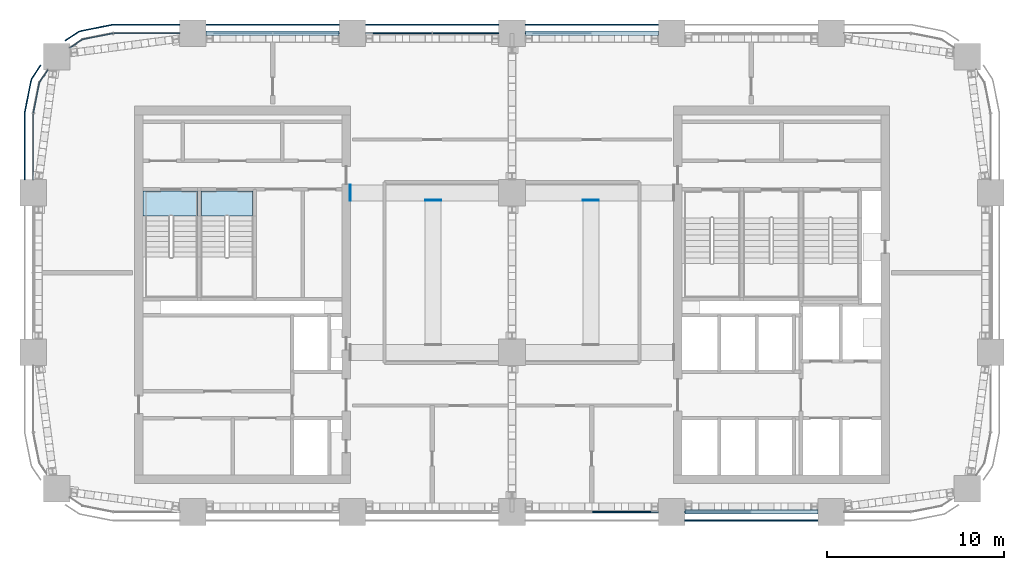
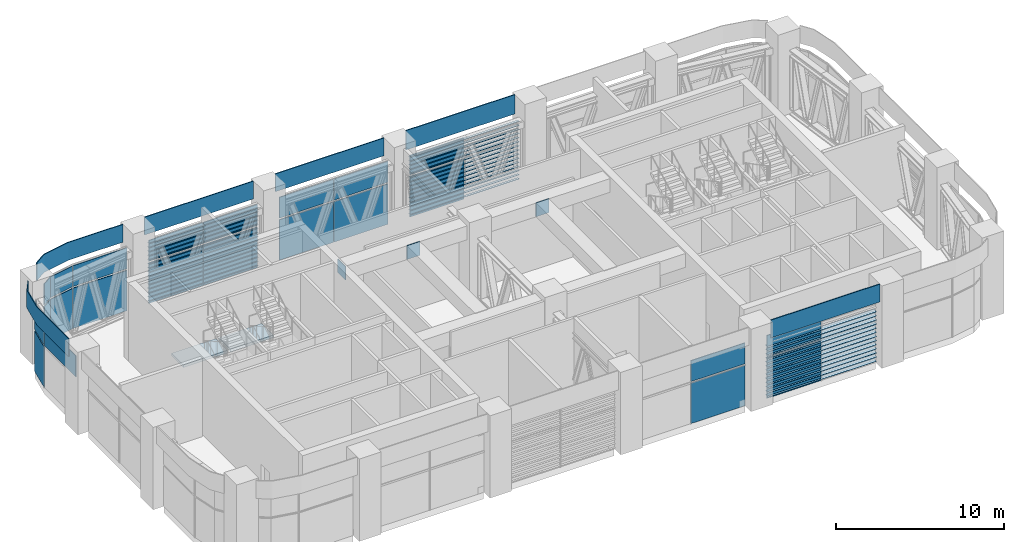
# One storey, part 9 of 19: 73 plates, 2 slabs, 9 elements without a shape of their own.
"""IFC4 building model written with IfcOpenShell, lengths in metres."""

from ifc_helpers import new_model, si_unit, direction, frame, origin, origin_2d, place, context, subcontext, project, spatial, polyline, rectangle, outline, extrude, material, layer, layer_set, type_object, element, aggregate, save


model = new_model("IFC4")

# Units and contexts
model_context = context("Model", 3, precision=1e-05, world=origin(), true_north=direction((0.0, 1.0)))
body_context = subcontext(model_context, "Body", "Model", "MODEL_VIEW")
ifc_project = project(units=[si_unit("LENGTHUNIT", "METRE"), si_unit("AREAUNIT", "SQUARE_METRE"), si_unit("VOLUMEUNIT", "CUBIC_METRE"), si_unit("PLANEANGLEUNIT", "RADIAN"), si_unit("MASSUNIT", "GRAM", prefix="KILO")], contexts=[model_context])

# Site, building, storey
site_placement = place(None, origin())
site = spatial("IfcSite", under=ifc_project, at=site_placement, CompositionType="ELEMENT")
building_placement = place(site_placement, origin())
building = spatial("IfcBuilding", under=site, at=building_placement, Name="Tessera Arch", CompositionType="ELEMENT")
storey_placement = place(building_placement, frame((0.0, 0.0, 197.300048828125)))
storey = spatial("IfcBuildingStorey", under=building, at=storey_placement, Name="L47", CompositionType="ELEMENT", Elevation=197.300048828125)

# Curtain wall, plates
ifc_material_1 = material(Name="CW7 curtain wall")
curtain_wall_type = type_object("IfcCurtainWallType", Name="CW7 curtain wall", PredefinedType="NOTDEFINED", material=ifc_material_1)
curtain_wall_1_placement = place(storey_placement, origin())
curtain_wall_1 = element("IfcCurtainWall", 1, at=curtain_wall_1_placement, inside=storey, type_object=curtain_wall_type, Name="CW7 curtain wall N54.0/2 L47", PredefinedType="NOTDEFINED")
ifc_material_2 = material(Name="Pale anodised aluminium panel", Category="aluminium")
ifc_layer_1 = layer(ifc_material_2, 0.06005859375)
ifc_layer_set_1 = layer_set([ifc_layer_1], Name="CW7 plant wall panel")
plate_type_1 = type_object("IfcPlateType", Name="CW7 plant wall panel", PredefinedType="CURTAIN_PANEL", material=ifc_layer_set_1)
plate_1_placement = place(storey_placement, frame((29.610107421875, 54.0, 0.0), z_axis=(0.0, 0.0, 1.0), x_axis=(-1.0, 0.0, 0.0)))
plate_1 = element("IfcPlate", 2, at=plate_1_placement, type_object=plate_type_1, Name="CW7 plant wall panel N54.0/2 1.2.1", PredefinedType="CURTAIN_PANEL", context=body_context, shape_type="SweptSolid", body=[
    extrude(rectangle(XDim=3.719970703125, YDim=0.06005859375, at=origin_2d()), origin(), (0.0, 0.0, 1.0), 2.93994140625),
])
plate_2_placement = place(storey_placement, frame((29.610107421875, 54.0, 3.06005859375), z_axis=(0.0, 0.0, 1.0), x_axis=(-1.0, 0.0, 0.0)))
plate_2 = element("IfcPlate", 3, at=plate_2_placement, type_object=plate_type_1, Name="CW7 plant wall panel N54.0/2 1.2.2", PredefinedType="CURTAIN_PANEL", context=body_context, shape_type="SweptSolid", body=[
    extrude(rectangle(XDim=3.719970703125, YDim=0.06005859375, at=origin_2d()), origin(), (0.0, 0.0, 1.0), 1.409912109375),
])

curtain_wall_2_placement = place(storey_placement, origin())
curtain_wall_2 = element("IfcCurtainWall", 4, at=curtain_wall_2_placement, inside=storey, type_object=curtain_wall_type, Name="CW7 curtain wall N54.0/3 L47", PredefinedType="NOTDEFINED")
plate_3_placement = place(storey_placement, frame((24.389892578125, 54.0, 0.0), z_axis=(0.0, 0.0, 1.0), x_axis=(-1.0, 0.0, 0.0)))
plate_3 = element("IfcPlate", 5, at=plate_3_placement, type_object=plate_type_1, Name="CW7 plant wall panel N54.0/3 1.1.1", PredefinedType="CURTAIN_PANEL", context=body_context, shape_type="SweptSolid", body=[
    extrude(rectangle(XDim=3.719970703125, YDim=0.06005859375, at=origin_2d()), origin(), (0.0, 0.0, 1.0), 2.93994140625),
])
plate_4_placement = place(storey_placement, frame((24.389892578125, 54.0, 3.06005859375), z_axis=(0.0, 0.0, 1.0), x_axis=(-1.0, 0.0, 0.0)))
plate_4 = element("IfcPlate", 6, at=plate_4_placement, type_object=plate_type_1, Name="CW7 plant wall panel N54.0/3 1.1.2", PredefinedType="CURTAIN_PANEL", context=body_context, shape_type="SweptSolid", body=[
    extrude(rectangle(XDim=3.719970703125, YDim=0.06005859375, at=origin_2d()), origin(), (0.0, 0.0, 1.0), 1.52001953125),
])
plate_5_placement = place(storey_placement, frame((20.610107421875, 54.0, 0.0), z_axis=(0.0, 0.0, 1.0), x_axis=(-1.0, 0.0, 0.0)))
plate_5 = element("IfcPlate", 7, at=plate_5_placement, type_object=plate_type_1, Name="CW7 plant wall panel N54.0/3 1.2.1", PredefinedType="CURTAIN_PANEL", context=body_context, shape_type="SweptSolid", body=[
    extrude(rectangle(XDim=3.719970703125, YDim=0.06005859375, at=origin_2d()), origin(), (0.0, 0.0, 1.0), 2.93994140625),
])
plate_6_placement = place(storey_placement, frame((20.610107421875, 54.0, 3.06005859375), z_axis=(0.0, 0.0, 1.0), x_axis=(-1.0, 0.0, 0.0)))
plate_6 = element("IfcPlate", 8, at=plate_6_placement, type_object=plate_type_1, Name="CW7 plant wall panel N54.0/3 1.2.2", PredefinedType="CURTAIN_PANEL", context=body_context, shape_type="SweptSolid", body=[
    extrude(rectangle(XDim=3.719970703125, YDim=0.06005859375, at=origin_2d()), origin(), (0.0, 0.0, 1.0), 1.52001953125),
])

curtain_wall_3_placement = place(storey_placement, origin())
curtain_wall_3 = element("IfcCurtainWall", 9, at=curtain_wall_3_placement, inside=storey, type_object=curtain_wall_type, Name="CW7 curtain wall N54.0/4 L47", PredefinedType="NOTDEFINED")
plate_7_placement = place(storey_placement, frame((15.389892578125, 54.0, 0.0), z_axis=(0.0, 0.0, 1.0), x_axis=(-1.0, 0.0, 0.0)))
plate_7 = element("IfcPlate", 10, at=plate_7_placement, type_object=plate_type_1, Name="CW7 plant wall panel N54.0/4 1.1.1", PredefinedType="CURTAIN_PANEL", context=body_context, shape_type="SweptSolid", body=[
    extrude(rectangle(XDim=3.719970703125, YDim=0.06005859375, at=origin_2d()), origin(), (0.0, 0.0, 1.0), 2.93994140625),
])
plate_8_placement = place(storey_placement, frame((15.389892578125, 54.0, 3.06005859375), z_axis=(0.0, 0.0, 1.0), x_axis=(-1.0, 0.0, 0.0)))
plate_8 = element("IfcPlate", 11, at=plate_8_placement, type_object=plate_type_1, Name="CW7 plant wall panel N54.0/4 1.1.2", PredefinedType="CURTAIN_PANEL", context=body_context, shape_type="SweptSolid", body=[
    extrude(rectangle(XDim=3.719970703125, YDim=0.06005859375, at=origin_2d()), origin(), (0.0, 0.0, 1.0), 1.52001953125),
])
plate_9_placement = place(storey_placement, frame((11.610107421875, 54.0, 0.0), z_axis=(0.0, 0.0, 1.0), x_axis=(-1.0, 0.0, 0.0)))
plate_9 = element("IfcPlate", 12, at=plate_9_placement, type_object=plate_type_1, Name="CW7 plant wall panel N54.0/4 1.2.1", PredefinedType="CURTAIN_PANEL", context=body_context, shape_type="SweptSolid", body=[
    extrude(rectangle(XDim=3.719970703125, YDim=0.06005859375, at=origin_2d()), origin(), (0.0, 0.0, 1.0), 2.93994140625),
])
plate_10_placement = place(storey_placement, frame((11.610107421875, 54.0, 3.06005859375), z_axis=(0.0, 0.0, 1.0), x_axis=(-1.0, 0.0, 0.0)))
plate_10 = element("IfcPlate", 13, at=plate_10_placement, type_object=plate_type_1, Name="CW7 plant wall panel N54.0/4 1.2.2", PredefinedType="CURTAIN_PANEL", context=body_context, shape_type="SweptSolid", body=[
    extrude(rectangle(XDim=3.719970703125, YDim=0.06005859375, at=origin_2d()), origin(), (0.0, 0.0, 1.0), 1.52001953125),
])

curtain_wall_4_placement = place(storey_placement, origin())
curtain_wall_4 = element("IfcCurtainWall", 14, at=curtain_wall_4_placement, inside=storey, type_object=curtain_wall_type, Name="CW7 curtain wall N54.0/5 L47", PredefinedType="NOTDEFINED")
plate_11_placement = place(storey_placement, frame((6.389892578125, 54.0, 0.0), z_axis=(0.0, 0.0, 1.0), x_axis=(-1.0, 0.0, 0.0)))
plate_11 = element("IfcPlate", 15, at=plate_11_placement, type_object=plate_type_1, Name="CW7 plant wall panel N54.0/5 1.1", PredefinedType="CURTAIN_PANEL", context=body_context, shape_type="SweptSolid", body=[
    extrude(rectangle(XDim=3.719970703125, YDim=0.06005859375, at=origin_2d()), origin(), (0.0, 0.0, 1.0), 2.93994140625),
])
plate_12_placement = place(storey_placement, origin())
plate_12 = element("IfcPlate", 16, at=plate_12_placement, type_object=plate_type_1, Name="CW7 curved plant wall panel N54.0/5 2.1", PredefinedType="CURTAIN_PANEL", context=body_context, shape_type="SweptSolid", body=[
    extrude(outline(polyline([(2.78955078125, 53.629150390625), (4.476318359375, 53.96484375), (4.46484375, 54.023681640625), (2.76611328125, 53.685791015625), (2.05126953125, 53.2080078125), (2.084716796875, 53.158203125), (2.78955078125, 53.629150390625)])), origin(), (0.0, 0.0, 1.0), 2.93994140625),
])
plate_13_placement = place(storey_placement, frame((6.389892578125, 54.0, 3.06005859375), z_axis=(0.0, 0.0, 1.0), x_axis=(-1.0, 0.0, 0.0)))
plate_13 = element("IfcPlate", 17, at=plate_13_placement, type_object=plate_type_1, Name="CW7 plant wall panel N54.0/5 1.2", PredefinedType="CURTAIN_PANEL", context=body_context, shape_type="SweptSolid", body=[
    extrude(rectangle(XDim=3.719970703125, YDim=0.06005859375, at=origin_2d()), origin(), (0.0, 0.0, 1.0), 1.52001953125),
])
plate_14_placement = place(storey_placement, frame((0.0, 0.0, 3.06005859375)))
plate_14 = element("IfcPlate", 18, at=plate_14_placement, type_object=plate_type_1, Name="CW7 curved plant wall panel N54.0/5 2.2", PredefinedType="CURTAIN_PANEL", context=body_context, shape_type="SweptSolid", body=[
    extrude(outline(polyline([(2.78955078125, 53.629150390625), (4.476318359375, 53.96484375), (4.46484375, 54.023681640625), (2.76611328125, 53.685791015625), (2.05126953125, 53.2080078125), (2.084716796875, 53.158203125), (2.78955078125, 53.629150390625)])), origin(), (0.0, 0.0, 1.0), 1.519775390625),
])

curtain_wall_5_placement = place(storey_placement, origin())
curtain_wall_5 = element("IfcCurtainWall", 19, at=curtain_wall_5_placement, inside=storey, type_object=curtain_wall_type, Name="CW7 curtain wall W0.27/0 L47", PredefinedType="NOTDEFINED")
plate_15_placement = place(storey_placement, origin())
plate_15 = element("IfcPlate", 20, at=plate_15_placement, type_object=plate_type_1, Name="CW7 curved plant wall panel W0.27/0 2.1", PredefinedType="CURTAIN_PANEL", context=body_context, shape_type="SweptSolid", body=[
    extrude(outline(polyline([(0.370849609375, 51.21044921875), (0.841796875, 51.915283203125), (0.7919921875, 51.94873046875), (0.314208984375, 51.23388671875), (-0.023681640625, 49.53515625), (0.03515625, 49.523681640625), (0.370849609375, 51.21044921875)])), origin(), (0.0, 0.0, 1.0), 2.93994140625),
])
plate_16_placement = place(storey_placement, frame((0.0, 47.610107421875, 3.06005859375), z_axis=(0.0, 0.0, 1.0), x_axis=(0.0, -1.0, 0.0)))
plate_16 = element("IfcPlate", 21, at=plate_16_placement, type_object=plate_type_1, Name="CW7 plant wall panel W0.27/0 1.2", PredefinedType="CURTAIN_PANEL", context=body_context, shape_type="SweptSolid", body=[
    extrude(rectangle(XDim=3.719970703125, YDim=0.06005859375, at=origin_2d()), origin(), (0.0, 0.0, 1.0), 1.52001953125),
])
plate_17_placement = place(storey_placement, frame((0.0, 0.0, 3.06005859375)))
plate_17 = element("IfcPlate", 22, at=plate_17_placement, type_object=plate_type_1, Name="CW7 curved plant wall panel W0.27/0 2.2", PredefinedType="CURTAIN_PANEL", context=body_context, shape_type="SweptSolid", body=[
    extrude(outline(polyline([(0.370849609375, 51.21044921875), (0.841796875, 51.915283203125), (0.7919921875, 51.94873046875), (0.314208984375, 51.23388671875), (-0.023681640625, 49.53515625), (0.03515625, 49.523681640625), (0.370849609375, 51.21044921875)])), origin(), (0.0, 0.0, 1.0), 1.519775390625),
])

curtain_wall_6_placement = place(storey_placement, origin())
curtain_wall_6 = element("IfcCurtainWall", 23, at=curtain_wall_6_placement, inside=storey, type_object=curtain_wall_type, Name="CW7 curtain wall S27.0/3 L47", PredefinedType="NOTDEFINED")
plate_18_placement = place(storey_placement, frame((33.389892578125, 27.0, 0.0), z_axis=(0.0, 0.0, 1.0), x_axis=(1.0, 0.0, 0.0)))
plate_18 = element("IfcPlate", 24, at=plate_18_placement, type_object=plate_type_1, Name="CW7 plant wall panel S27.0/3 1.2.1", PredefinedType="CURTAIN_PANEL", context=body_context, shape_type="SweptSolid", body=[
    extrude(rectangle(XDim=3.719970703125, YDim=0.06005859375, at=origin_2d()), origin(), (0.0, 0.0, 1.0), 2.93994140625),
])
plate_19_placement = place(storey_placement, frame((33.389892578125, 27.0, 3.06005859375), z_axis=(0.0, 0.0, 1.0), x_axis=(1.0, 0.0, 0.0)))
plate_19 = element("IfcPlate", 25, at=plate_19_placement, type_object=plate_type_1, Name="CW7 plant wall panel S27.0/3 1.2.2", PredefinedType="CURTAIN_PANEL", context=body_context, shape_type="SweptSolid", body=[
    extrude(rectangle(XDim=3.719970703125, YDim=0.06005859375, at=origin_2d()), origin(), (0.0, 0.0, 1.0), 1.52001953125),
])
aggregate(curtain_wall_6, [plate_18, plate_19])

curtain_wall_7_placement = place(storey_placement, origin())
curtain_wall_7 = element("IfcCurtainWall", 26, at=curtain_wall_7_placement, inside=storey, type_object=curtain_wall_type, Name="CW7 curtain wall S27.0/4 L47", PredefinedType="NOTDEFINED")
plate_20_placement = place(storey_placement, frame((38.610107421875, 27.0, 0.0), z_axis=(0.0, 0.0, 1.0), x_axis=(1.0, 0.0, 0.0)))
plate_20 = element("IfcPlate", 27, at=plate_20_placement, type_object=plate_type_1, Name="CW7 plant wall panel S27.0/4 1.1.1", PredefinedType="CURTAIN_PANEL", context=body_context, shape_type="SweptSolid", body=[
    extrude(rectangle(XDim=3.719970703125, YDim=0.06005859375, at=origin_2d()), origin(), (0.0, 0.0, 1.0), 2.93994140625),
])
plate_21_placement = place(storey_placement, frame((38.610107421875, 27.0, 3.06005859375), z_axis=(0.0, 0.0, 1.0), x_axis=(1.0, 0.0, 0.0)))
plate_21 = element("IfcPlate", 28, at=plate_21_placement, type_object=plate_type_1, Name="CW7 plant wall panel S27.0/4 1.1.2", PredefinedType="CURTAIN_PANEL", context=body_context, shape_type="SweptSolid", body=[
    extrude(rectangle(XDim=3.719970703125, YDim=0.06005859375, at=origin_2d()), origin(), (0.0, 0.0, 1.0), 1.52001953125),
])

# Plate
ifc_material_3 = material(Name="Pale anodised aluminium panel", Category="aluminium")
ifc_layer_2 = layer(ifc_material_3, 0.06005859375)
ifc_layer_set_2 = layer_set([ifc_layer_2], Name="CW7 spandrel panel")
plate_type_2 = type_object("IfcPlateType", Name="CW7 spandrel panel", PredefinedType="CURTAIN_PANEL", material=ifc_layer_set_2)
plate_22_placement = place(storey_placement, frame((31.5, 54.47998046875, 4.58984375), z_axis=(0.0, 0.0, 1.0), x_axis=(-1.0, 0.0, 0.0)))
plate_22 = element("IfcPlate", 29, at=plate_22_placement, type_object=plate_type_2, Name="CW7 spandrel panel N54.0/2", PredefinedType="CURTAIN_PANEL", context=body_context, shape_type="SweptSolid", body=[
    extrude(rectangle(XDim=7.5, YDim=0.06005859375, at=origin_2d()), origin(), (0.0, 0.0, 1.0), 1.409912109375),
])

aggregate(curtain_wall_1, [plate_1, plate_2, plate_22])

plate_23_placement = place(storey_placement, frame((22.5, 54.47998046875, 4.69970703125), z_axis=(0.0, 0.0, 1.0), x_axis=(-1.0, 0.0, 0.0)))
plate_23 = element("IfcPlate", 30, at=plate_23_placement, type_object=plate_type_2, Name="CW7 spandrel panel N54.0/3", PredefinedType="CURTAIN_PANEL", context=body_context, shape_type="SweptSolid", body=[
    extrude(rectangle(XDim=7.5, YDim=0.06005859375, at=origin_2d()), origin(), (0.0, 0.0, 1.0), 1.300048828125),
])

aggregate(curtain_wall_2, [plate_3, plate_4, plate_5, plate_6, plate_23])

plate_24_placement = place(storey_placement, frame((13.5, 54.47998046875, 4.69970703125), z_axis=(0.0, 0.0, 1.0), x_axis=(-1.0, 0.0, 0.0)))
plate_24 = element("IfcPlate", 31, at=plate_24_placement, type_object=plate_type_2, Name="CW7 spandrel panel N54.0/4", PredefinedType="CURTAIN_PANEL", context=body_context, shape_type="SweptSolid", body=[
    extrude(rectangle(XDim=7.5, YDim=0.06005859375, at=origin_2d()), origin(), (0.0, 0.0, 1.0), 1.300048828125),
])

aggregate(curtain_wall_3, [plate_7, plate_8, plate_9, plate_10, plate_24])

plate_25_placement = place(storey_placement, frame((0.0, 0.0, 4.699951171875)))
plate_25 = element("IfcPlate", 32, at=plate_25_placement, type_object=plate_type_2, Name="CW7 spandrel panel N54.0/5", PredefinedType="CURTAIN_PANEL", context=body_context, shape_type="SweptSolid", body=[
    extrude(outline(polyline([(4.500732421875, 54.449951171875), (8.25, 54.449951171875), (8.25, 54.510009765625), (4.499267578125, 54.510009765625), (4.449951171875, 54.507568359375), (4.401123046875, 54.500244140625), (2.677734375, 54.157470703125), (2.6298828125, 54.1455078125), (2.582763671875, 54.128662109375), (2.537353515625, 54.107421875), (2.4951171875, 54.08203125), (1.78466796875, 53.607177734375), (1.81787109375, 53.55712890625), (2.52734375, 54.03125), (2.565673828125, 54.054443359375), (2.605712890625, 54.0732421875), (2.647216796875, 54.088134765625), (2.69091796875, 54.09912109375), (4.411376953125, 54.441162109375), (4.455810546875, 54.44775390625), (4.500732421875, 54.449951171875)])), origin(), (0.0, 0.0, 1.0), 1.300048828125),
])

aggregate(curtain_wall_4, [plate_11, plate_12, plate_13, plate_14, plate_25])

plate_26_placement = place(storey_placement, frame((0.0, 0.0, 4.699951171875)))
plate_26 = element("IfcPlate", 33, at=plate_26_placement, type_object=plate_type_2, Name="CW7 spandrel panel W0.27/0", PredefinedType="CURTAIN_PANEL", context=body_context, shape_type="SweptSolid", body=[
    extrude(outline(polyline([(-0.03125, 51.47265625), (0.44287109375, 52.18212890625), (0.392822265625, 52.21533203125), (-0.08203125, 51.5048828125), (-0.107421875, 51.462646484375), (-0.128662109375, 51.417236328125), (-0.1455078125, 51.3701171875), (-0.157470703125, 51.322265625), (-0.500244140625, 49.598876953125), (-0.507568359375, 49.550048828125), (-0.510009765625, 49.500732421875), (-0.510009765625, 45.75), (-0.449951171875, 45.75), (-0.449951171875, 49.499267578125), (-0.44775390625, 49.544189453125), (-0.441162109375, 49.588623046875), (-0.09912109375, 51.30908203125), (-0.088134765625, 51.352783203125), (-0.0732421875, 51.394287109375), (-0.054443359375, 51.434326171875), (-0.03125, 51.47265625)])), origin(), (0.0, 0.0, 1.0), 1.300048828125),
])

aggregate(curtain_wall_5, [plate_15, plate_16, plate_17, plate_26])

plate_27_placement = place(storey_placement, frame((40.5, 26.52001953125, 4.69970703125), z_axis=(0.0, 0.0, 1.0), x_axis=(1.0, 0.0, 0.0)))
plate_27 = element("IfcPlate", 34, at=plate_27_placement, type_object=plate_type_2, Name="CW7 spandrel panel S27.0/4", PredefinedType="CURTAIN_PANEL", context=body_context, shape_type="SweptSolid", body=[
    extrude(rectangle(XDim=7.5, YDim=0.06005859375, at=origin_2d()), origin(), (0.0, 0.0, 1.0), 1.300048828125),
])

aggregate(curtain_wall_7, [plate_20, plate_21, plate_27])

# Plates
ifc_material_4 = material(Name="Steel A572 Gr50", Category="steel")
ifc_layer_3 = layer(ifc_material_4, 0.050048828125)
ifc_layer_set_3 = layer_set([ifc_layer_3], Name="End plate BOX 900x1000x60")
plate_type_3 = type_object("IfcPlateType", Name="End plate BOX 900x1000x60", PredefinedType="SHEET", material=ifc_layer_set_3)
plate_28_placement = place(storey_placement, frame((17.85009765625, 45.0, 5.08984375), z_axis=(1.0, 0.0, 0.0), x_axis=(0.0, 1.0, 0.0)))
element("IfcPlate", 35, at=plate_28_placement, inside=storey, type_object=plate_type_3, Name="End plate BOX 900x1000x60 portal girder y45 1 L47", PredefinedType="SHEET", context=body_context, shape_type="SweptSolid", body=[
    extrude(rectangle(XDim=0.89990234375, YDim=1.0, at=origin_2d()), origin(), (0.0, 0.0, 1.0), 0.0498046875),
])
for number, where, z_axis, x_axis, name in (
    (36, (22.550048828125, 44.550048828125, 5.08984375), (0.0, 1.0, 0.0), (-1.0, 0.0, 0.0), "End plate BOX 900x1000x60 gallery edge beam west 2 L47"),
    (37, (31.449951171875, 44.550048828125, 5.08984375), (0.0, 1.0, 0.0), (-1.0, 0.0, 0.0), "End plate BOX 900x1000x60 gallery edge beam east 2 L47"),
):
    element("IfcPlate", number, at=place(storey_placement, frame(where, z_axis=z_axis, x_axis=x_axis)), inside=storey, type_object=plate_type_3, Name=name, PredefinedType="SHEET", context=body_context, shape_type="SweptSolid", body=[
        extrude(rectangle(XDim=0.89990234375, YDim=1.0, at=origin_2d()), origin(), (0.0, 0.0, 1.0), 0.050048828125),
    ])
ifc_material_5 = material(Name="Aluminium louvre pale metal anodised", Category="aluminium")
ifc_layer_4 = layer(ifc_material_5, 0.02001953125)
ifc_layer_set_4 = layer_set([ifc_layer_4], Name="Plant louvre blade")
plate_type_4 = type_object("IfcPlateType", Name="Plant louvre blade", PredefinedType="USERDEFINED", material=ifc_layer_set_4)
for number, where, z_axis, x_axis, name in (
    (38, (35.25, 54.125, 0.14990234375), (0.0, 0.269874067237, 0.962895626656), (-1.0, 0.0, 0.0), "Louvre blade N54.0/2 1"),
    (39, (35.25, 54.125, 0.449951171875), (0.0, 0.269874067237, 0.962895626656), (-1.0, 0.0, 0.0), "Louvre blade N54.0/2 2"),
    (40, (35.25, 54.125, 0.75), (0.0, 0.269874067237, 0.962895626656), (-1.0, 0.0, 0.0), "Louvre blade N54.0/2 3"),
):
    element("IfcPlate", number, at=place(storey_placement, frame(where, z_axis=z_axis, x_axis=x_axis)), inside=storey, type_object=plate_type_4, Name=name, ObjectType="LOUVER", PredefinedType="USERDEFINED", context=body_context, shape_type="SweptSolid", body=[
        extrude(outline(polyline([(0.0, 0.0), (7.5, 0.0), (7.5, 0.25963353979311715), (0.0, 0.25963353979311715), (0.0, 0.0)])), origin(), (0.0, 0.0, -1.0), 0.02001953125),
    ])
plate_29_placement = place(storey_placement, frame((35.25, 54.125, 1.050048828125), z_axis=(0.0, 0.269001893813, 0.963139647779), x_axis=(-1.0, 0.0, 0.0)))
element("IfcPlate", 41, at=plate_29_placement, inside=storey, type_object=plate_type_4, Name="Louvre blade N54.0/2 4", ObjectType="LOUVER", PredefinedType="USERDEFINED", context=body_context, shape_type="SweptSolid", body=[
    extrude(outline(polyline([(0.0, 0.0), (7.5, 0.0), (7.5, 0.25956775902266416), (0.0, 0.25956775902266416), (0.0, 0.0)])), origin(), (0.0, 0.0, -1.0), 0.02001953125),
])
for number, where, z_axis, x_axis, name in (
    (42, (35.25, 54.125, 1.349853515625), (0.0, 0.269874067237, 0.962895626656), (-1.0, 0.0, 0.0), "Louvre blade N54.0/2 5"),
    (43, (35.25, 54.125, 1.64990234375), (0.0, 0.269874067237, 0.962895626656), (-1.0, 0.0, 0.0), "Louvre blade N54.0/2 6"),
    (44, (35.25, 54.125, 1.949951171875), (0.0, 0.269874067237, 0.962895626656), (-1.0, 0.0, 0.0), "Louvre blade N54.0/2 7"),
    (45, (35.25, 54.125, 2.25), (0.0, 0.269874067237, 0.962895626656), (-1.0, 0.0, 0.0), "Louvre blade N54.0/2 8"),
):
    element("IfcPlate", number, at=place(storey_placement, frame(where, z_axis=z_axis, x_axis=x_axis)), inside=storey, type_object=plate_type_4, Name=name, ObjectType="LOUVER", PredefinedType="USERDEFINED", context=body_context, shape_type="SweptSolid", body=[
        extrude(outline(polyline([(0.0, 0.0), (7.5, 0.0), (7.5, 0.25963353979311715), (0.0, 0.25963353979311715), (0.0, 0.0)])), origin(), (0.0, 0.0, -1.0), 0.02001953125),
    ])
plate_30_placement = place(storey_placement, frame((35.25, 54.125, 2.550048828125), z_axis=(0.0, 0.269001893813, 0.963139647779), x_axis=(-1.0, 0.0, 0.0)))
element("IfcPlate", 46, at=plate_30_placement, inside=storey, type_object=plate_type_4, Name="Louvre blade N54.0/2 9", ObjectType="LOUVER", PredefinedType="USERDEFINED", context=body_context, shape_type="SweptSolid", body=[
    extrude(outline(polyline([(0.0, 0.0), (7.5, 0.0), (7.5, 0.25956775902266416), (0.0, 0.25956775902266416), (0.0, 0.0)])), origin(), (0.0, 0.0, -1.0), 0.02001953125),
])
for number, where, z_axis, x_axis, name in (
    (47, (35.25, 54.125, 2.849853515625), (0.0, 0.269874067237, 0.962895626656), (-1.0, 0.0, 0.0), "Louvre blade N54.0/2 10"),
    (48, (35.25, 54.125, 3.14990234375), (0.0, 0.269874067237, 0.962895626656), (-1.0, 0.0, 0.0), "Louvre blade N54.0/2 11"),
    (49, (35.25, 54.125, 3.449951171875), (0.0, 0.269874067237, 0.962895626656), (-1.0, 0.0, 0.0), "Louvre blade N54.0/2 12"),
    (50, (35.25, 54.125, 3.75), (0.0, 0.269874067237, 0.962895626656), (-1.0, 0.0, 0.0), "Louvre blade N54.0/2 13"),
):
    element("IfcPlate", number, at=place(storey_placement, frame(where, z_axis=z_axis, x_axis=x_axis)), inside=storey, type_object=plate_type_4, Name=name, ObjectType="LOUVER", PredefinedType="USERDEFINED", context=body_context, shape_type="SweptSolid", body=[
        extrude(outline(polyline([(0.0, 0.0), (7.5, 0.0), (7.5, 0.25963353979311715), (0.0, 0.25963353979311715), (0.0, 0.0)])), origin(), (0.0, 0.0, -1.0), 0.02001953125),
    ])
plate_31_placement = place(storey_placement, frame((35.25, 54.125, 4.050048828125), z_axis=(0.0, 0.269001893813, 0.963139647779), x_axis=(-1.0, 0.0, 0.0)))
element("IfcPlate", 51, at=plate_31_placement, inside=storey, type_object=plate_type_4, Name="Louvre blade N54.0/2 14", ObjectType="LOUVER", PredefinedType="USERDEFINED", context=body_context, shape_type="SweptSolid", body=[
    extrude(outline(polyline([(0.0, 0.0), (7.5, 0.0), (7.5, 0.25956775902266416), (0.0, 0.25956775902266416), (0.0, 0.0)])), origin(), (0.0, 0.0, -1.0), 0.02001953125),
])
for number, where, z_axis, x_axis, name in (
    (52, (35.25, 54.125, 4.349853515625), (0.0, 0.269874067237, 0.962895626656), (-1.0, 0.0, 0.0), "Louvre blade N54.0/2 15"),
    (53, (17.25, 54.125, 0.14990234375), (0.0, 0.269874067237, 0.962895626656), (-1.0, 0.0, 0.0), "Louvre blade N54.0/4 1"),
    (54, (17.25, 54.125, 0.449951171875), (0.0, 0.269874067237, 0.962895626656), (-1.0, 0.0, 0.0), "Louvre blade N54.0/4 2"),
    (55, (17.25, 54.125, 0.75), (0.0, 0.269874067237, 0.962895626656), (-1.0, 0.0, 0.0), "Louvre blade N54.0/4 3"),
):
    element("IfcPlate", number, at=place(storey_placement, frame(where, z_axis=z_axis, x_axis=x_axis)), inside=storey, type_object=plate_type_4, Name=name, ObjectType="LOUVER", PredefinedType="USERDEFINED", context=body_context, shape_type="SweptSolid", body=[
        extrude(outline(polyline([(0.0, 0.0), (7.5, 0.0), (7.5, 0.25963353979311715), (0.0, 0.25963353979311715), (0.0, 0.0)])), origin(), (0.0, 0.0, -1.0), 0.02001953125),
    ])
plate_32_placement = place(storey_placement, frame((17.25, 54.125, 1.050048828125), z_axis=(0.0, 0.269001893813, 0.963139647779), x_axis=(-1.0, 0.0, 0.0)))
element("IfcPlate", 56, at=plate_32_placement, inside=storey, type_object=plate_type_4, Name="Louvre blade N54.0/4 4", ObjectType="LOUVER", PredefinedType="USERDEFINED", context=body_context, shape_type="SweptSolid", body=[
    extrude(outline(polyline([(0.0, 0.0), (7.5, 0.0), (7.5, 0.25956775902266416), (0.0, 0.25956775902266416), (0.0, 0.0)])), origin(), (0.0, 0.0, -1.0), 0.02001953125),
])
for number, where, z_axis, x_axis, name in (
    (57, (17.25, 54.125, 1.349853515625), (0.0, 0.269874067237, 0.962895626656), (-1.0, 0.0, 0.0), "Louvre blade N54.0/4 5"),
    (58, (17.25, 54.125, 1.64990234375), (0.0, 0.269874067237, 0.962895626656), (-1.0, 0.0, 0.0), "Louvre blade N54.0/4 6"),
    (59, (17.25, 54.125, 1.949951171875), (0.0, 0.269874067237, 0.962895626656), (-1.0, 0.0, 0.0), "Louvre blade N54.0/4 7"),
    (60, (17.25, 54.125, 2.25), (0.0, 0.269874067237, 0.962895626656), (-1.0, 0.0, 0.0), "Louvre blade N54.0/4 8"),
):
    element("IfcPlate", number, at=place(storey_placement, frame(where, z_axis=z_axis, x_axis=x_axis)), inside=storey, type_object=plate_type_4, Name=name, ObjectType="LOUVER", PredefinedType="USERDEFINED", context=body_context, shape_type="SweptSolid", body=[
        extrude(outline(polyline([(0.0, 0.0), (7.5, 0.0), (7.5, 0.25963353979311715), (0.0, 0.25963353979311715), (0.0, 0.0)])), origin(), (0.0, 0.0, -1.0), 0.02001953125),
    ])
plate_33_placement = place(storey_placement, frame((17.25, 54.125, 2.550048828125), z_axis=(0.0, 0.269001893813, 0.963139647779), x_axis=(-1.0, 0.0, 0.0)))
element("IfcPlate", 61, at=plate_33_placement, inside=storey, type_object=plate_type_4, Name="Louvre blade N54.0/4 9", ObjectType="LOUVER", PredefinedType="USERDEFINED", context=body_context, shape_type="SweptSolid", body=[
    extrude(outline(polyline([(0.0, 0.0), (7.5, 0.0), (7.5, 0.25956775902266416), (0.0, 0.25956775902266416), (0.0, 0.0)])), origin(), (0.0, 0.0, -1.0), 0.02001953125),
])
for number, where, z_axis, x_axis, name in (
    (62, (17.25, 54.125, 2.849853515625), (0.0, 0.269874067237, 0.962895626656), (-1.0, 0.0, 0.0), "Louvre blade N54.0/4 10"),
    (63, (17.25, 54.125, 3.14990234375), (0.0, 0.269874067237, 0.962895626656), (-1.0, 0.0, 0.0), "Louvre blade N54.0/4 11"),
    (64, (17.25, 54.125, 3.449951171875), (0.0, 0.269874067237, 0.962895626656), (-1.0, 0.0, 0.0), "Louvre blade N54.0/4 12"),
    (65, (17.25, 54.125, 3.75), (0.0, 0.269874067237, 0.962895626656), (-1.0, 0.0, 0.0), "Louvre blade N54.0/4 13"),
):
    element("IfcPlate", number, at=place(storey_placement, frame(where, z_axis=z_axis, x_axis=x_axis)), inside=storey, type_object=plate_type_4, Name=name, ObjectType="LOUVER", PredefinedType="USERDEFINED", context=body_context, shape_type="SweptSolid", body=[
        extrude(outline(polyline([(0.0, 0.0), (7.5, 0.0), (7.5, 0.25963353979311715), (0.0, 0.25963353979311715), (0.0, 0.0)])), origin(), (0.0, 0.0, -1.0), 0.02001953125),
    ])
plate_34_placement = place(storey_placement, frame((17.25, 54.125, 4.050048828125), z_axis=(0.0, 0.269001893813, 0.963139647779), x_axis=(-1.0, 0.0, 0.0)))
element("IfcPlate", 66, at=plate_34_placement, inside=storey, type_object=plate_type_4, Name="Louvre blade N54.0/4 14", ObjectType="LOUVER", PredefinedType="USERDEFINED", context=body_context, shape_type="SweptSolid", body=[
    extrude(outline(polyline([(0.0, 0.0), (7.5, 0.0), (7.5, 0.25956775902266416), (0.0, 0.25956775902266416), (0.0, 0.0)])), origin(), (0.0, 0.0, -1.0), 0.02001953125),
])
for number, where, z_axis, x_axis, name in (
    (67, (17.25, 54.125, 4.349853515625), (0.0, 0.269874067237, 0.962895626656), (-1.0, 0.0, 0.0), "Louvre blade N54.0/4 15"),
    (68, (36.75, 26.875, 0.14990234375), (0.0, -0.269874067237, 0.962895626656), (1.0, 0.0, 0.0), "Louvre blade S27.0/4 1"),
    (69, (36.75, 26.875, 0.449951171875), (0.0, -0.269874067237, 0.962895626656), (1.0, 0.0, 0.0), "Louvre blade S27.0/4 2"),
    (70, (36.75, 26.875, 0.75), (0.0, -0.269874067237, 0.962895626656), (1.0, 0.0, 0.0), "Louvre blade S27.0/4 3"),
):
    element("IfcPlate", number, at=place(storey_placement, frame(where, z_axis=z_axis, x_axis=x_axis)), inside=storey, type_object=plate_type_4, Name=name, ObjectType="LOUVER", PredefinedType="USERDEFINED", context=body_context, shape_type="SweptSolid", body=[
        extrude(outline(polyline([(0.0, 0.0), (7.5, 0.0), (7.5, 0.25963353979311715), (0.0, 0.25963353979311715), (0.0, 0.0)])), origin(), (0.0, 0.0, -1.0), 0.02001953125),
    ])
plate_35_placement = place(storey_placement, frame((36.75, 26.875, 1.050048828125), z_axis=(0.0, -0.269001893813, 0.963139647779), x_axis=(1.0, 0.0, 0.0)))
element("IfcPlate", 71, at=plate_35_placement, inside=storey, type_object=plate_type_4, Name="Louvre blade S27.0/4 4", ObjectType="LOUVER", PredefinedType="USERDEFINED", context=body_context, shape_type="SweptSolid", body=[
    extrude(outline(polyline([(0.0, 0.0), (7.5, 0.0), (7.5, 0.25956775902266416), (0.0, 0.25956775902266416), (0.0, 0.0)])), origin(), (0.0, 0.0, -1.0), 0.02001953125),
])
for number, where, z_axis, x_axis, name in (
    (72, (36.75, 26.875, 1.349853515625), (0.0, -0.269874067237, 0.962895626656), (1.0, 0.0, 0.0), "Louvre blade S27.0/4 5"),
    (73, (36.75, 26.875, 1.64990234375), (0.0, -0.269874067237, 0.962895626656), (1.0, 0.0, 0.0), "Louvre blade S27.0/4 6"),
    (74, (36.75, 26.875, 1.949951171875), (0.0, -0.269874067237, 0.962895626656), (1.0, 0.0, 0.0), "Louvre blade S27.0/4 7"),
    (75, (36.75, 26.875, 2.25), (0.0, -0.269874067237, 0.962895626656), (1.0, 0.0, 0.0), "Louvre blade S27.0/4 8"),
):
    element("IfcPlate", number, at=place(storey_placement, frame(where, z_axis=z_axis, x_axis=x_axis)), inside=storey, type_object=plate_type_4, Name=name, ObjectType="LOUVER", PredefinedType="USERDEFINED", context=body_context, shape_type="SweptSolid", body=[
        extrude(outline(polyline([(0.0, 0.0), (7.5, 0.0), (7.5, 0.25963353979311715), (0.0, 0.25963353979311715), (0.0, 0.0)])), origin(), (0.0, 0.0, -1.0), 0.02001953125),
    ])
plate_36_placement = place(storey_placement, frame((36.75, 26.875, 2.550048828125), z_axis=(0.0, -0.269001893813, 0.963139647779), x_axis=(1.0, 0.0, 0.0)))
element("IfcPlate", 76, at=plate_36_placement, inside=storey, type_object=plate_type_4, Name="Louvre blade S27.0/4 9", ObjectType="LOUVER", PredefinedType="USERDEFINED", context=body_context, shape_type="SweptSolid", body=[
    extrude(outline(polyline([(0.0, 0.0), (7.5, 0.0), (7.5, 0.25956775902266416), (0.0, 0.25956775902266416), (0.0, 0.0)])), origin(), (0.0, 0.0, -1.0), 0.02001953125),
])
for number, where, z_axis, x_axis, name in (
    (77, (36.75, 26.875, 2.849853515625), (0.0, -0.269874067237, 0.962895626656), (1.0, 0.0, 0.0), "Louvre blade S27.0/4 10"),
    (78, (36.75, 26.875, 3.14990234375), (0.0, -0.269874067237, 0.962895626656), (1.0, 0.0, 0.0), "Louvre blade S27.0/4 11"),
    (79, (36.75, 26.875, 3.449951171875), (0.0, -0.269874067237, 0.962895626656), (1.0, 0.0, 0.0), "Louvre blade S27.0/4 12"),
    (80, (36.75, 26.875, 3.75), (0.0, -0.269874067237, 0.962895626656), (1.0, 0.0, 0.0), "Louvre blade S27.0/4 13"),
):
    element("IfcPlate", number, at=place(storey_placement, frame(where, z_axis=z_axis, x_axis=x_axis)), inside=storey, type_object=plate_type_4, Name=name, ObjectType="LOUVER", PredefinedType="USERDEFINED", context=body_context, shape_type="SweptSolid", body=[
        extrude(outline(polyline([(0.0, 0.0), (7.5, 0.0), (7.5, 0.25963353979311715), (0.0, 0.25963353979311715), (0.0, 0.0)])), origin(), (0.0, 0.0, -1.0), 0.02001953125),
    ])

# Stair, slab
ifc_material_6 = material(Name="Concrete C40/50", Category="concrete")
stair_type = type_object("IfcStairType", Name="Dogleg stair 1400", PredefinedType="HALF_TURN_STAIR", material=ifc_material_6)
stair_1_placement = place(storey_placement, origin())
stair_1 = element("IfcStair", 81, at=stair_1_placement, inside=storey, type_object=stair_type, Name="L47 S2a", PredefinedType="HALF_TURN_STAIR")
ifc_material_7 = material(Name="Concrete C40/50", Category="concrete")
ifc_layer_5 = layer(ifc_material_7, 0.300048828125)
ifc_layer_set_5 = layer_set([ifc_layer_5], Name="Stair landing 300")
slab_type = type_object("IfcSlabType", Name="Stair landing 300", PredefinedType="LANDING", material=ifc_layer_set_5)
slab_1_placement = place(storey_placement, frame((0.0, 0.0, 2.800048828125)))
slab_1 = element("IfcSlab", 82, at=slab_1_placement, type_object=slab_type, Name="S2a landing 2", PredefinedType="LANDING", context=body_context, shape_type="SweptSolid", body=[
    extrude(outline(polyline([(6.199951171875, 45.10009765625), (6.199951171875, 43.699951171875), (9.25, 43.699951171875), (9.25, 45.10009765625), (6.199951171875, 45.10009765625)])), origin(), (0.0, 0.0, 1.0), 0.199951171875),
])
aggregate(stair_1, [slab_1])

stair_2_placement = place(storey_placement, origin())
stair_2 = element("IfcStair", 83, at=stair_2_placement, inside=storey, type_object=stair_type, Name="L47 S2b", PredefinedType="HALF_TURN_STAIR")
slab_2_placement = place(storey_placement, frame((0.0, 0.0, 2.800048828125)))
slab_2 = element("IfcSlab", 84, at=slab_2_placement, type_object=slab_type, Name="S2b landing 2", PredefinedType="LANDING", context=body_context, shape_type="SweptSolid", body=[
    extrude(outline(polyline([(9.449951171875, 45.10009765625), (9.449951171875, 43.699951171875), (12.39990234375, 43.699951171875), (12.39990234375, 45.10009765625), (9.449951171875, 45.10009765625)])), origin(), (0.0, 0.0, 1.0), 0.199951171875),
])
aggregate(stair_2, [slab_2])

save(model, "model.ifc")
